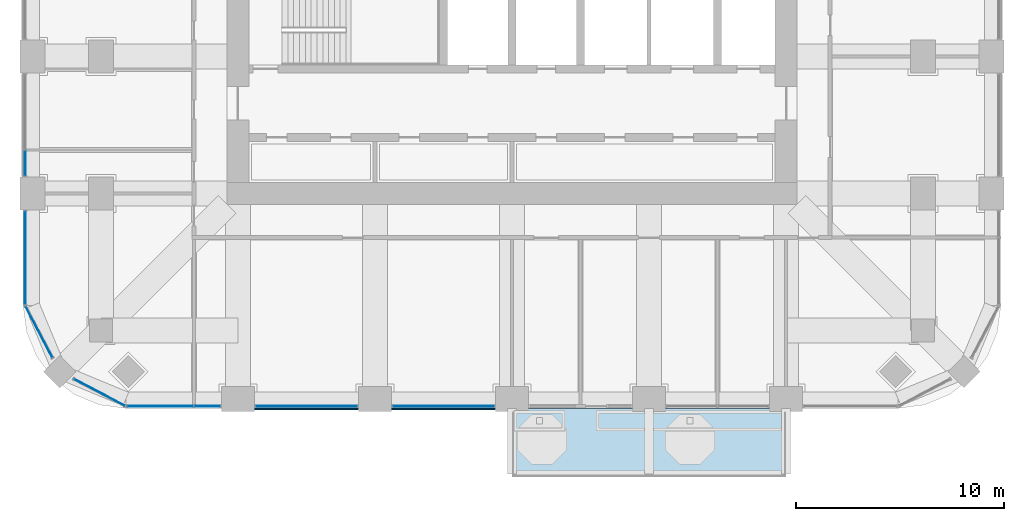
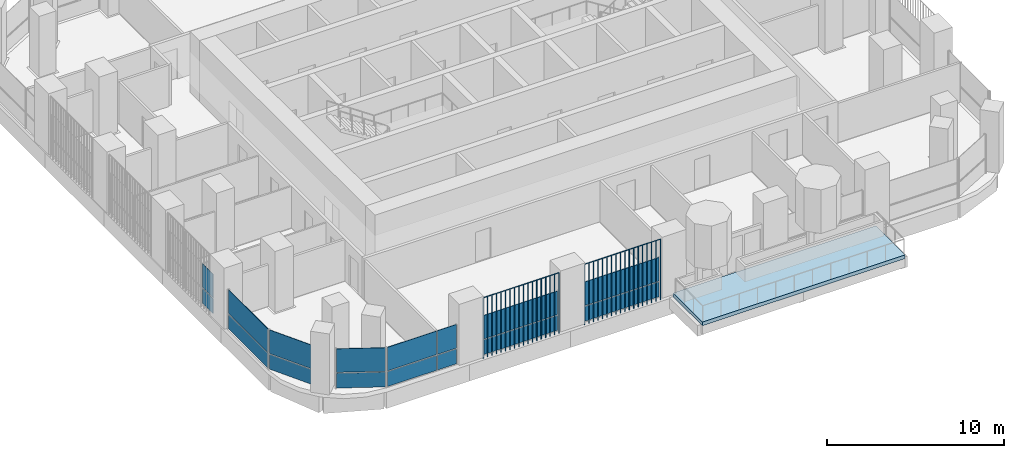
# One storey, part 8 of 19: 18 plates, 1 slab, 7 elements without a shape of their own.
"""IFC4 building model written with IfcOpenShell, lengths in metres."""

from ifc_helpers import new_model, si_unit, direction, frame, origin, origin_2d, place, context, subcontext, project, spatial, polyline, rectangle, outline, extrude, material, layer, layer_set, type_object, element, aggregate, save


model = new_model("IFC4")

# Units and contexts
model_context = context("Model", 3, precision=1e-05, world=origin(), true_north=direction((0.0, 1.0)))
body_context = subcontext(model_context, "Body", "Model", "MODEL_VIEW")
ifc_project = project(units=[si_unit("LENGTHUNIT", "METRE"), si_unit("AREAUNIT", "SQUARE_METRE"), si_unit("VOLUMEUNIT", "CUBIC_METRE"), si_unit("PLANEANGLEUNIT", "RADIAN"), si_unit("MASSUNIT", "GRAM", prefix="KILO")], contexts=[model_context])

# Site, building, storey
site_placement = place(None, origin())
site = spatial("IfcSite", under=ifc_project, at=site_placement, CompositionType="ELEMENT")
building_placement = place(site_placement, origin())
building = spatial("IfcBuilding", under=site, at=building_placement, Name="Cobogo Forest Laboratory Tower", CompositionType="ELEMENT")
storey_placement = place(building_placement, frame((0.0, 0.0, 172.5)))
storey = spatial("IfcBuildingStorey", under=building, at=storey_placement, Name="L39", CompositionType="ELEMENT", Elevation=172.5)

# Slab
ifc_material_1 = material(Name="Concrete HA-40 (C40/50)", Category="concrete")
ifc_layer_1 = layer(ifc_material_1, 0.25)
ifc_layer_set_1 = layer_set([ifc_layer_1], Name="Balcony slab 250")
slab_type = type_object("IfcSlabType", Name="Balcony slab 250", PredefinedType="FLOOR", material=ifc_layer_set_1)
slab_placement = place(storey_placement, frame((0.0, 0.0, -0.25)))
element("IfcSlab", 1, at=slab_placement, inside=storey, type_object=slab_type, Name="Balcony BAL-S1 L39", PredefinedType="FLOOR", context=body_context, shape_type="SweptSolid", body=[
    extrude(outline(polyline([(26.39990234375, -0.449951171875), (39.60009765625, -0.449951171875), (39.60009765625, 2.85009765625), (26.39990234375, 2.85009765625), (26.39990234375, -0.449951171875)])), origin(), (0.0, 0.0, 1.0), 0.25),
])

# Curtain wall, plates
ifc_material_2 = material(Name="Aluminium curtain wall", Category="aluminium")
curtain_wall_type = type_object("IfcCurtainWallType", Name="CW-2 unitised curtain wall, solar control glazing, laboratory floors zones C and D", PredefinedType="USERDEFINED", material=ifc_material_2)
curtain_wall_1_placement = place(storey_placement, origin())
curtain_wall_1 = element("IfcCurtainWall", 2, at=curtain_wall_1_placement, inside=storey, type_object=curtain_wall_type, Name="Curtain wall 01 L39", ObjectType="UNITISED CURTAIN WALL", PredefinedType="USERDEFINED")
ifc_material_3 = material(Name="Solar control insulated glass", Category="glass")
ifc_layer_2 = layer(ifc_material_3, 0.031982421875)
ifc_layer_set_2 = layer_set([ifc_layer_2], Name="GP-2 solar control glass unit 32")
plate_type_1 = type_object("IfcPlateType", Name="GP-2 solar control glass unit 32", PredefinedType="CURTAIN_PANEL", material=ifc_layer_set_2)
plate_1_placement = place(storey_placement, frame((9.452392578125, 2.949951171875, 0.0), z_axis=(0.0, 0.0, 1.0), x_axis=(1.0, 0.0, 0.0)))
plate_1 = element("IfcPlate", 3, at=plate_1_placement, type_object=plate_type_1, Name="CW-2 panel 1.1", PredefinedType="CURTAIN_PANEL", context=body_context, shape_type="SweptSolid", body=[
    extrude(rectangle(XDim=3.18505859375, YDim=0.031982421875, at=origin_2d()), origin(), (0.0, 0.0, 1.0), 1.02001953125),
])
plate_2_placement = place(storey_placement, frame((9.452392578125, 2.949951171875, 1.079833984375), z_axis=(0.0, 0.0, 1.0), x_axis=(1.0, 0.0, 0.0)))
plate_2 = element("IfcPlate", 4, at=plate_2_placement, type_object=plate_type_1, Name="CW-2 panel 1.2", PredefinedType="CURTAIN_PANEL", context=body_context, shape_type="SweptSolid", body=[
    extrude(rectangle(XDim=3.18505859375, YDim=0.031982421875, at=origin_2d()), origin(), (0.0, 0.0, 1.0), 1.6201171875),
])
plate_3_placement = place(storey_placement, frame((11.722412109375, 2.949951171875, 0.0), z_axis=(0.0, 0.0, 1.0), x_axis=(1.0, 0.0, 0.0)))
plate_3 = element("IfcPlate", 5, at=plate_3_placement, type_object=plate_type_1, Name="CW-2 panel 2.1", PredefinedType="CURTAIN_PANEL", context=body_context, shape_type="SweptSolid", body=[
    extrude(rectangle(XDim=1.235107421875, YDim=0.031982421875, at=origin_2d()), origin(), (0.0, 0.0, 1.0), 1.02001953125),
])
plate_4_placement = place(storey_placement, frame((11.722412109375, 2.949951171875, 1.079833984375), z_axis=(0.0, 0.0, 1.0), x_axis=(1.0, 0.0, 0.0)))
plate_4 = element("IfcPlate", 6, at=plate_4_placement, type_object=plate_type_1, Name="CW-2 panel 2.2", PredefinedType="CURTAIN_PANEL", context=body_context, shape_type="SweptSolid", body=[
    extrude(rectangle(XDim=1.235107421875, YDim=0.031982421875, at=origin_2d()), origin(), (0.0, 0.0, 1.0), 1.6201171875),
])
aggregate(curtain_wall_1, [plate_1, plate_2, plate_3, plate_4])

curtain_wall_2_placement = place(storey_placement, origin())
curtain_wall_2 = element("IfcCurtainWall", 7, at=curtain_wall_2_placement, inside=storey, type_object=curtain_wall_type, Name="Curtain wall 02 L39", ObjectType="UNITISED CURTAIN WALL", PredefinedType="USERDEFINED")
plate_5_placement = place(storey_placement, frame((16.5, 2.949951171875, 0.0), z_axis=(0.0, 0.0, 1.0), x_axis=(1.0, 0.0, 0.0)))
plate_5 = element("IfcPlate", 8, at=plate_5_placement, type_object=plate_type_1, Name="CW-2 panel 1.1", PredefinedType="CURTAIN_PANEL", context=body_context, shape_type="SweptSolid", body=[
    extrude(rectangle(XDim=4.8798828125, YDim=0.031982421875, at=origin_2d()), origin(), (0.0, 0.0, 1.0), 1.02001953125),
])
plate_6_placement = place(storey_placement, frame((16.5, 2.949951171875, 1.079833984375), z_axis=(0.0, 0.0, 1.0), x_axis=(1.0, 0.0, 0.0)))
plate_6 = element("IfcPlate", 9, at=plate_6_placement, type_object=plate_type_1, Name="CW-2 panel 1.2", PredefinedType="CURTAIN_PANEL", context=body_context, shape_type="SweptSolid", body=[
    extrude(rectangle(XDim=4.8798828125, YDim=0.031982421875, at=origin_2d()), origin(), (0.0, 0.0, 1.0), 1.6201171875),
])
aggregate(curtain_wall_2, [plate_5, plate_6])

curtain_wall_3_placement = place(storey_placement, origin())
curtain_wall_3 = element("IfcCurtainWall", 10, at=curtain_wall_3_placement, inside=storey, type_object=curtain_wall_type, Name="Curtain wall 03 L39", ObjectType="UNITISED CURTAIN WALL", PredefinedType="USERDEFINED")
plate_7_placement = place(storey_placement, frame((23.10009765625, 2.949951171875, 0.0), z_axis=(0.0, 0.0, 1.0), x_axis=(1.0, 0.0, 0.0)))
plate_7 = element("IfcPlate", 11, at=plate_7_placement, type_object=plate_type_1, Name="CW-2 panel 1.1", PredefinedType="CURTAIN_PANEL", context=body_context, shape_type="SweptSolid", body=[
    extrude(rectangle(XDim=4.8798828125, YDim=0.031982421875, at=origin_2d()), origin(), (0.0, 0.0, 1.0), 1.02001953125),
])
plate_8_placement = place(storey_placement, frame((23.10009765625, 2.949951171875, 1.079833984375), z_axis=(0.0, 0.0, 1.0), x_axis=(1.0, 0.0, 0.0)))
plate_8 = element("IfcPlate", 12, at=plate_8_placement, type_object=plate_type_1, Name="CW-2 panel 1.2", PredefinedType="CURTAIN_PANEL", context=body_context, shape_type="SweptSolid", body=[
    extrude(rectangle(XDim=4.8798828125, YDim=0.031982421875, at=origin_2d()), origin(), (0.0, 0.0, 1.0), 1.6201171875),
])
aggregate(curtain_wall_3, [plate_7, plate_8])

curtain_wall_4_placement = place(storey_placement, origin())
curtain_wall_4 = element("IfcCurtainWall", 13, at=curtain_wall_4_placement, inside=storey, type_object=curtain_wall_type, Name="Curtain wall 27 L39", ObjectType="UNITISED CURTAIN WALL", PredefinedType="USERDEFINED")
plate_9_placement = place(storey_placement, frame((2.949951171875, 14.6650390625, 0.0), z_axis=(0.0, 0.0, 1.0), x_axis=(0.0, -1.0, 0.0)))
plate_9 = element("IfcPlate", 14, at=plate_9_placement, type_object=plate_type_1, Name="CW-2 panel 2.1", PredefinedType="CURTAIN_PANEL", context=body_context, shape_type="SweptSolid", body=[
    extrude(rectangle(XDim=1.2099609375, YDim=0.031982421875, at=origin_2d()), origin(), (0.0, 0.0, 1.0), 1.02001953125),
])
plate_10_placement = place(storey_placement, frame((2.949951171875, 14.6650390625, 1.079833984375), z_axis=(0.0, 0.0, 1.0), x_axis=(0.0, -1.0, 0.0)))
plate_10 = element("IfcPlate", 15, at=plate_10_placement, type_object=plate_type_1, Name="CW-2 panel 2.2", PredefinedType="CURTAIN_PANEL", context=body_context, shape_type="SweptSolid", body=[
    extrude(rectangle(XDim=1.2099609375, YDim=0.031982421875, at=origin_2d()), origin(), (0.0, 0.0, 1.0), 1.6201171875),
])
aggregate(curtain_wall_4, [plate_9, plate_10])

curtain_wall_5_placement = place(storey_placement, origin())
curtain_wall_5 = element("IfcCurtainWall", 16, at=curtain_wall_5_placement, inside=storey, type_object=curtain_wall_type, Name="Curtain wall 28 L39", ObjectType="UNITISED CURTAIN WALL", PredefinedType="USERDEFINED")
plate_11_placement = place(storey_placement, frame((2.949951171875, 10.10009765625, 0.0), z_axis=(0.0, 0.0, 1.0), x_axis=(0.0, -1.0, 0.0)))
plate_11 = element("IfcPlate", 17, at=plate_11_placement, type_object=plate_type_1, Name="CW-2 panel 1.1", PredefinedType="CURTAIN_PANEL", context=body_context, shape_type="SweptSolid", body=[
    extrude(rectangle(XDim=4.47998046875, YDim=0.031982421875, at=origin_2d()), origin(), (0.0, 0.0, 1.0), 1.02001953125),
])
plate_12_placement = place(storey_placement, frame((2.949951171875, 10.10009765625, 1.079833984375), z_axis=(0.0, 0.0, 1.0), x_axis=(0.0, -1.0, 0.0)))
plate_12 = element("IfcPlate", 18, at=plate_12_placement, type_object=plate_type_1, Name="CW-2 panel 1.2", PredefinedType="CURTAIN_PANEL", context=body_context, shape_type="SweptSolid", body=[
    extrude(rectangle(XDim=4.47998046875, YDim=0.031982421875, at=origin_2d()), origin(), (0.0, 0.0, 1.0), 1.6201171875),
])
aggregate(curtain_wall_5, [plate_11, plate_12])

curtain_wall_6_placement = place(storey_placement, origin())
curtain_wall_6 = element("IfcCurtainWall", 19, at=curtain_wall_6_placement, inside=storey, type_object=curtain_wall_type, Name="Curtain wall 29 L39", ObjectType="UNITISED CURTAIN WALL", PredefinedType="USERDEFINED")
plate_13_placement = place(storey_placement, frame((3.61865234375, 6.5244140625, 0.0), z_axis=(0.0, 0.0, 1.0), x_axis=(0.464283804832, -0.885686484356, 0.0)))
plate_13 = element("IfcPlate", 20, at=plate_13_placement, type_object=plate_type_1, Name="CW-2 panel 1.1", PredefinedType="CURTAIN_PANEL", context=body_context, shape_type="SweptSolid", body=[
    extrude(rectangle(XDim=2.76025390625, YDim=0.031982421875, at=origin_2d()), origin(), (0.0, 0.0, 1.0), 1.02001953125),
])
plate_14_placement = place(storey_placement, frame((3.61865234375, 6.5244140625, 1.079833984375), z_axis=(0.0, 0.0, 1.0), x_axis=(0.464283804832, -0.885686484356, 0.0)))
plate_14 = element("IfcPlate", 21, at=plate_14_placement, type_object=plate_type_1, Name="CW-2 panel 1.2", PredefinedType="CURTAIN_PANEL", context=body_context, shape_type="SweptSolid", body=[
    extrude(rectangle(XDim=2.76025390625, YDim=0.031982421875, at=origin_2d()), origin(), (0.0, 0.0, 1.0), 1.6201171875),
])
aggregate(curtain_wall_6, [plate_13, plate_14])

curtain_wall_7_placement = place(storey_placement, origin())
curtain_wall_7 = element("IfcCurtainWall", 22, at=curtain_wall_7_placement, inside=storey, type_object=curtain_wall_type, Name="Curtain wall 30 L39", ObjectType="UNITISED CURTAIN WALL", PredefinedType="USERDEFINED")
plate_15_placement = place(storey_placement, frame((6.5244140625, 3.61865234375, 0.0), z_axis=(0.0, 0.0, 1.0), x_axis=(0.885686484356, -0.464283804832, 0.0)))
plate_15 = element("IfcPlate", 23, at=plate_15_placement, type_object=plate_type_1, Name="CW-2 panel 1.1", PredefinedType="CURTAIN_PANEL", context=body_context, shape_type="SweptSolid", body=[
    extrude(rectangle(XDim=2.76025390625, YDim=0.031982421875, at=origin_2d()), origin(), (0.0, 0.0, 1.0), 1.02001953125),
])
plate_16_placement = place(storey_placement, frame((6.5244140625, 3.61865234375, 1.079833984375), z_axis=(0.0, 0.0, 1.0), x_axis=(0.885686484356, -0.464283804832, 0.0)))
plate_16 = element("IfcPlate", 24, at=plate_16_placement, type_object=plate_type_1, Name="CW-2 panel 1.2", PredefinedType="CURTAIN_PANEL", context=body_context, shape_type="SweptSolid", body=[
    extrude(rectangle(XDim=2.76025390625, YDim=0.031982421875, at=origin_2d()), origin(), (0.0, 0.0, 1.0), 1.6201171875),
])
aggregate(curtain_wall_7, [plate_15, plate_16])

# Plates
ifc_material_4 = material(Name="Terracotta", Category="masonry")
plate_type_2 = type_object("IfcPlateType", Name="TB1 terracotta baguette screen", PredefinedType="USERDEFINED", material=ifc_material_4)
plate_17_placement = place(storey_placement, frame((14.03125, 2.822021484375, -0.14990234375)))
element("IfcPlate", 25, at=plate_17_placement, inside=storey, type_object=plate_type_2, Name="Baguette screen S1 L39", ObjectType="BAGUETTE SCREEN", PredefinedType="USERDEFINED", context=body_context, shape_type="SweptSolid", body=[
    extrude(outline(polyline([(0.02880859375, 0.011962890625), (0.011962890625, 0.02880859375), (-0.011962890625, 0.02880859375), (-0.02880859375, 0.011962890625), (-0.02880859375, -0.011962890625), (-0.011962890625, -0.02880859375), (0.011962890625, -0.02880859375), (0.02880859375, -0.011962890625), (0.02880859375, 0.011962890625)])), frame((0.0, 0.0, 4.168701171875), z_axis=(1.0, 0.0, 0.0), x_axis=(0.0, 1.0, 0.0)), (0.0, 0.0, 1.0), 4.9375),
    extrude(outline(polyline([(0.02880859375, 0.011962890625), (0.011962890625, 0.02880859375), (-0.011962890625, 0.02880859375), (-0.02880859375, 0.011962890625), (-0.02880859375, -0.011962890625), (-0.011962890625, -0.02880859375), (0.011962890625, -0.02880859375), (0.02880859375, -0.011962890625), (0.02880859375, 0.011962890625)])), origin(), (0.0, 0.0, 1.0), 4.137451171875),
    extrude(outline(polyline([(0.02880859375, 0.011962890625), (0.011962890625, 0.02880859375), (-0.011962890625, 0.02880859375), (-0.02880859375, 0.011962890625), (-0.02880859375, -0.011962890625), (-0.011962890625, -0.02880859375), (0.011962890625, -0.02880859375), (0.02880859375, -0.011962890625), (0.02880859375, 0.011962890625)])), frame((0.29052734375, 0.0, 0.0)), (0.0, 0.0, 1.0), 4.137451171875),
    extrude(outline(polyline([(0.02880859375, 0.011962890625), (0.011962890625, 0.02880859375), (-0.011962890625, 0.02880859375), (-0.02880859375, 0.011962890625), (-0.02880859375, -0.011962890625), (-0.011962890625, -0.02880859375), (0.011962890625, -0.02880859375), (0.02880859375, -0.011962890625), (0.02880859375, 0.011962890625)])), frame((0.580810546875, 0.0, 0.0)), (0.0, 0.0, 1.0), 4.137451171875),
    extrude(outline(polyline([(0.02880859375, 0.011962890625), (0.011962890625, 0.02880859375), (-0.011962890625, 0.02880859375), (-0.02880859375, 0.011962890625), (-0.02880859375, -0.011962890625), (-0.011962890625, -0.02880859375), (0.011962890625, -0.02880859375), (0.02880859375, -0.011962890625), (0.02880859375, 0.011962890625)])), frame((0.871337890625, 0.0, 0.0)), (0.0, 0.0, 1.0), 4.137451171875),
    extrude(outline(polyline([(0.02880859375, 0.011962890625), (0.011962890625, 0.02880859375), (-0.011962890625, 0.02880859375), (-0.02880859375, 0.011962890625), (-0.02880859375, -0.011962890625), (-0.011962890625, -0.02880859375), (0.011962890625, -0.02880859375), (0.02880859375, -0.011962890625), (0.02880859375, 0.011962890625)])), frame((1.161865234375, 0.0, 0.0)), (0.0, 0.0, 1.0), 4.137451171875),
    extrude(outline(polyline([(0.02880859375, 0.011962890625), (0.011962890625, 0.02880859375), (-0.011962890625, 0.02880859375), (-0.02880859375, 0.011962890625), (-0.02880859375, -0.011962890625), (-0.011962890625, -0.02880859375), (0.011962890625, -0.02880859375), (0.02880859375, -0.011962890625), (0.02880859375, 0.011962890625)])), frame((1.4521484375, 0.0, 0.0)), (0.0, 0.0, 1.0), 4.137451171875),
    extrude(outline(polyline([(0.02880859375, 0.011962890625), (0.011962890625, 0.02880859375), (-0.011962890625, 0.02880859375), (-0.02880859375, 0.011962890625), (-0.02880859375, -0.011962890625), (-0.011962890625, -0.02880859375), (0.011962890625, -0.02880859375), (0.02880859375, -0.011962890625), (0.02880859375, 0.011962890625)])), frame((1.74267578125, 0.0, 0.0)), (0.0, 0.0, 1.0), 4.137451171875),
    extrude(outline(polyline([(0.02880859375, 0.011962890625), (0.011962890625, 0.02880859375), (-0.011962890625, 0.02880859375), (-0.02880859375, 0.011962890625), (-0.02880859375, -0.011962890625), (-0.011962890625, -0.02880859375), (0.011962890625, -0.02880859375), (0.02880859375, -0.011962890625), (0.02880859375, 0.011962890625)])), frame((2.033203125, 0.0, 0.0)), (0.0, 0.0, 1.0), 4.137451171875),
    extrude(outline(polyline([(0.02880859375, 0.011962890625), (0.011962890625, 0.02880859375), (-0.011962890625, 0.02880859375), (-0.02880859375, 0.011962890625), (-0.02880859375, -0.011962890625), (-0.011962890625, -0.02880859375), (0.011962890625, -0.02880859375), (0.02880859375, -0.011962890625), (0.02880859375, 0.011962890625)])), frame((2.323486328125, 0.0, 0.0)), (0.0, 0.0, 1.0), 4.137451171875),
    extrude(outline(polyline([(0.02880859375, 0.011962890625), (0.011962890625, 0.02880859375), (-0.011962890625, 0.02880859375), (-0.02880859375, 0.011962890625), (-0.02880859375, -0.011962890625), (-0.011962890625, -0.02880859375), (0.011962890625, -0.02880859375), (0.02880859375, -0.011962890625), (0.02880859375, 0.011962890625)])), frame((2.614013671875, 0.0, 0.0)), (0.0, 0.0, 1.0), 4.137451171875),
    extrude(outline(polyline([(0.02880859375, 0.011962890625), (0.011962890625, 0.02880859375), (-0.011962890625, 0.02880859375), (-0.02880859375, 0.011962890625), (-0.02880859375, -0.011962890625), (-0.011962890625, -0.02880859375), (0.011962890625, -0.02880859375), (0.02880859375, -0.011962890625), (0.02880859375, 0.011962890625)])), frame((2.904296875, 0.0, 0.0)), (0.0, 0.0, 1.0), 4.137451171875),
    extrude(outline(polyline([(0.02880859375, 0.011962890625), (0.011962890625, 0.02880859375), (-0.011962890625, 0.02880859375), (-0.02880859375, 0.011962890625), (-0.02880859375, -0.011962890625), (-0.011962890625, -0.02880859375), (0.011962890625, -0.02880859375), (0.02880859375, -0.011962890625), (0.02880859375, 0.011962890625)])), frame((3.19482421875, 0.0, 0.0)), (0.0, 0.0, 1.0), 4.137451171875),
    extrude(outline(polyline([(0.02880859375, 0.011962890625), (0.011962890625, 0.02880859375), (-0.011962890625, 0.02880859375), (-0.02880859375, 0.011962890625), (-0.02880859375, -0.011962890625), (-0.011962890625, -0.02880859375), (0.011962890625, -0.02880859375), (0.02880859375, -0.011962890625), (0.02880859375, 0.011962890625)])), frame((3.4853515625, 0.0, 0.0)), (0.0, 0.0, 1.0), 4.137451171875),
    extrude(outline(polyline([(0.02880859375, 0.011962890625), (0.011962890625, 0.02880859375), (-0.011962890625, 0.02880859375), (-0.02880859375, 0.011962890625), (-0.02880859375, -0.011962890625), (-0.011962890625, -0.02880859375), (0.011962890625, -0.02880859375), (0.02880859375, -0.011962890625), (0.02880859375, 0.011962890625)])), frame((3.775634765625, 0.0, 0.0)), (0.0, 0.0, 1.0), 4.137451171875),
    extrude(outline(polyline([(0.02880859375, 0.011962890625), (0.011962890625, 0.02880859375), (-0.011962890625, 0.02880859375), (-0.02880859375, 0.011962890625), (-0.02880859375, -0.011962890625), (-0.011962890625, -0.02880859375), (0.011962890625, -0.02880859375), (0.02880859375, -0.011962890625), (0.02880859375, 0.011962890625)])), frame((4.066162109375, 0.0, 0.0)), (0.0, 0.0, 1.0), 4.137451171875),
    extrude(outline(polyline([(0.02880859375, 0.011962890625), (0.011962890625, 0.02880859375), (-0.011962890625, 0.02880859375), (-0.02880859375, 0.011962890625), (-0.02880859375, -0.011962890625), (-0.011962890625, -0.02880859375), (0.011962890625, -0.02880859375), (0.02880859375, -0.011962890625), (0.02880859375, 0.011962890625)])), frame((4.356689453125, 0.0, 0.0)), (0.0, 0.0, 1.0), 4.137451171875),
    extrude(outline(polyline([(0.02880859375, 0.011962890625), (0.011962890625, 0.02880859375), (-0.011962890625, 0.02880859375), (-0.02880859375, 0.011962890625), (-0.02880859375, -0.011962890625), (-0.011962890625, -0.02880859375), (0.011962890625, -0.02880859375), (0.02880859375, -0.011962890625), (0.02880859375, 0.011962890625)])), frame((4.64697265625, 0.0, 0.0)), (0.0, 0.0, 1.0), 4.137451171875),
    extrude(outline(polyline([(0.02880859375, 0.011962890625), (0.011962890625, 0.02880859375), (-0.011962890625, 0.02880859375), (-0.02880859375, 0.011962890625), (-0.02880859375, -0.011962890625), (-0.011962890625, -0.02880859375), (0.011962890625, -0.02880859375), (0.02880859375, -0.011962890625), (0.02880859375, 0.011962890625)])), frame((4.9375, 0.0, 0.0)), (0.0, 0.0, 1.0), 4.137451171875),
])
plate_18_placement = place(storey_placement, frame((20.63134765625, 2.822021484375, -0.14990234375)))
element("IfcPlate", 26, at=plate_18_placement, inside=storey, type_object=plate_type_2, Name="Baguette screen S2 L39", ObjectType="BAGUETTE SCREEN", PredefinedType="USERDEFINED", context=body_context, shape_type="SweptSolid", body=[
    extrude(outline(polyline([(0.02880859375, 0.011962890625), (0.011962890625, 0.02880859375), (-0.011962890625, 0.02880859375), (-0.02880859375, 0.011962890625), (-0.02880859375, -0.011962890625), (-0.011962890625, -0.02880859375), (0.011962890625, -0.02880859375), (0.02880859375, -0.011962890625), (0.02880859375, 0.011962890625)])), frame((0.0, 0.0, 4.168701171875), z_axis=(1.0, 0.0, 0.0), x_axis=(0.0, 1.0, 0.0)), (0.0, 0.0, 1.0), 4.9375),
    extrude(outline(polyline([(0.02880859375, 0.011962890625), (0.011962890625, 0.02880859375), (-0.011962890625, 0.02880859375), (-0.02880859375, 0.011962890625), (-0.02880859375, -0.011962890625), (-0.011962890625, -0.02880859375), (0.011962890625, -0.02880859375), (0.02880859375, -0.011962890625), (0.02880859375, 0.011962890625)])), origin(), (0.0, 0.0, 1.0), 4.137451171875),
    extrude(outline(polyline([(0.02880859375, 0.011962890625), (0.011962890625, 0.02880859375), (-0.011962890625, 0.02880859375), (-0.02880859375, 0.011962890625), (-0.02880859375, -0.011962890625), (-0.011962890625, -0.02880859375), (0.011962890625, -0.02880859375), (0.02880859375, -0.011962890625), (0.02880859375, 0.011962890625)])), frame((0.29052734375, 0.0, 0.0)), (0.0, 0.0, 1.0), 4.137451171875),
    extrude(outline(polyline([(0.02880859375, 0.011962890625), (0.011962890625, 0.02880859375), (-0.011962890625, 0.02880859375), (-0.02880859375, 0.011962890625), (-0.02880859375, -0.011962890625), (-0.011962890625, -0.02880859375), (0.011962890625, -0.02880859375), (0.02880859375, -0.011962890625), (0.02880859375, 0.011962890625)])), frame((0.580810546875, 0.0, 0.0)), (0.0, 0.0, 1.0), 4.137451171875),
    extrude(outline(polyline([(0.02880859375, 0.011962890625), (0.011962890625, 0.02880859375), (-0.011962890625, 0.02880859375), (-0.02880859375, 0.011962890625), (-0.02880859375, -0.011962890625), (-0.011962890625, -0.02880859375), (0.011962890625, -0.02880859375), (0.02880859375, -0.011962890625), (0.02880859375, 0.011962890625)])), frame((0.871337890625, 0.0, 0.0)), (0.0, 0.0, 1.0), 4.137451171875),
    extrude(outline(polyline([(0.02880859375, 0.011962890625), (0.011962890625, 0.02880859375), (-0.011962890625, 0.02880859375), (-0.02880859375, 0.011962890625), (-0.02880859375, -0.011962890625), (-0.011962890625, -0.02880859375), (0.011962890625, -0.02880859375), (0.02880859375, -0.011962890625), (0.02880859375, 0.011962890625)])), frame((1.161865234375, 0.0, 0.0)), (0.0, 0.0, 1.0), 4.137451171875),
    extrude(outline(polyline([(0.02880859375, 0.011962890625), (0.011962890625, 0.02880859375), (-0.011962890625, 0.02880859375), (-0.02880859375, 0.011962890625), (-0.02880859375, -0.011962890625), (-0.011962890625, -0.02880859375), (0.011962890625, -0.02880859375), (0.02880859375, -0.011962890625), (0.02880859375, 0.011962890625)])), frame((1.4521484375, 0.0, 0.0)), (0.0, 0.0, 1.0), 4.137451171875),
    extrude(outline(polyline([(0.02880859375, 0.011962890625), (0.011962890625, 0.02880859375), (-0.011962890625, 0.02880859375), (-0.02880859375, 0.011962890625), (-0.02880859375, -0.011962890625), (-0.011962890625, -0.02880859375), (0.011962890625, -0.02880859375), (0.02880859375, -0.011962890625), (0.02880859375, 0.011962890625)])), frame((1.74267578125, 0.0, 0.0)), (0.0, 0.0, 1.0), 4.137451171875),
    extrude(outline(polyline([(0.02880859375, 0.011962890625), (0.011962890625, 0.02880859375), (-0.011962890625, 0.02880859375), (-0.02880859375, 0.011962890625), (-0.02880859375, -0.011962890625), (-0.011962890625, -0.02880859375), (0.011962890625, -0.02880859375), (0.02880859375, -0.011962890625), (0.02880859375, 0.011962890625)])), frame((2.033203125, 0.0, 0.0)), (0.0, 0.0, 1.0), 4.137451171875),
    extrude(outline(polyline([(0.02880859375, 0.011962890625), (0.011962890625, 0.02880859375), (-0.011962890625, 0.02880859375), (-0.02880859375, 0.011962890625), (-0.02880859375, -0.011962890625), (-0.011962890625, -0.02880859375), (0.011962890625, -0.02880859375), (0.02880859375, -0.011962890625), (0.02880859375, 0.011962890625)])), frame((2.323486328125, 0.0, 0.0)), (0.0, 0.0, 1.0), 4.137451171875),
    extrude(outline(polyline([(0.02880859375, 0.011962890625), (0.011962890625, 0.02880859375), (-0.011962890625, 0.02880859375), (-0.02880859375, 0.011962890625), (-0.02880859375, -0.011962890625), (-0.011962890625, -0.02880859375), (0.011962890625, -0.02880859375), (0.02880859375, -0.011962890625), (0.02880859375, 0.011962890625)])), frame((2.614013671875, 0.0, 0.0)), (0.0, 0.0, 1.0), 4.137451171875),
    extrude(outline(polyline([(0.02880859375, 0.011962890625), (0.011962890625, 0.02880859375), (-0.011962890625, 0.02880859375), (-0.02880859375, 0.011962890625), (-0.02880859375, -0.011962890625), (-0.011962890625, -0.02880859375), (0.011962890625, -0.02880859375), (0.02880859375, -0.011962890625), (0.02880859375, 0.011962890625)])), frame((2.904296875, 0.0, 0.0)), (0.0, 0.0, 1.0), 4.137451171875),
    extrude(outline(polyline([(0.02880859375, 0.011962890625), (0.011962890625, 0.02880859375), (-0.011962890625, 0.02880859375), (-0.02880859375, 0.011962890625), (-0.02880859375, -0.011962890625), (-0.011962890625, -0.02880859375), (0.011962890625, -0.02880859375), (0.02880859375, -0.011962890625), (0.02880859375, 0.011962890625)])), frame((3.19482421875, 0.0, 0.0)), (0.0, 0.0, 1.0), 4.137451171875),
    extrude(outline(polyline([(0.02880859375, 0.011962890625), (0.011962890625, 0.02880859375), (-0.011962890625, 0.02880859375), (-0.02880859375, 0.011962890625), (-0.02880859375, -0.011962890625), (-0.011962890625, -0.02880859375), (0.011962890625, -0.02880859375), (0.02880859375, -0.011962890625), (0.02880859375, 0.011962890625)])), frame((3.4853515625, 0.0, 0.0)), (0.0, 0.0, 1.0), 4.137451171875),
    extrude(outline(polyline([(0.02880859375, 0.011962890625), (0.011962890625, 0.02880859375), (-0.011962890625, 0.02880859375), (-0.02880859375, 0.011962890625), (-0.02880859375, -0.011962890625), (-0.011962890625, -0.02880859375), (0.011962890625, -0.02880859375), (0.02880859375, -0.011962890625), (0.02880859375, 0.011962890625)])), frame((3.775634765625, 0.0, 0.0)), (0.0, 0.0, 1.0), 4.137451171875),
    extrude(outline(polyline([(0.02880859375, 0.011962890625), (0.011962890625, 0.02880859375), (-0.011962890625, 0.02880859375), (-0.02880859375, 0.011962890625), (-0.02880859375, -0.011962890625), (-0.011962890625, -0.02880859375), (0.011962890625, -0.02880859375), (0.02880859375, -0.011962890625), (0.02880859375, 0.011962890625)])), frame((4.066162109375, 0.0, 0.0)), (0.0, 0.0, 1.0), 4.137451171875),
    extrude(outline(polyline([(0.02880859375, 0.011962890625), (0.011962890625, 0.02880859375), (-0.011962890625, 0.02880859375), (-0.02880859375, 0.011962890625), (-0.02880859375, -0.011962890625), (-0.011962890625, -0.02880859375), (0.011962890625, -0.02880859375), (0.02880859375, -0.011962890625), (0.02880859375, 0.011962890625)])), frame((4.356689453125, 0.0, 0.0)), (0.0, 0.0, 1.0), 4.137451171875),
    extrude(outline(polyline([(0.02880859375, 0.011962890625), (0.011962890625, 0.02880859375), (-0.011962890625, 0.02880859375), (-0.02880859375, 0.011962890625), (-0.02880859375, -0.011962890625), (-0.011962890625, -0.02880859375), (0.011962890625, -0.02880859375), (0.02880859375, -0.011962890625), (0.02880859375, 0.011962890625)])), frame((4.64697265625, 0.0, 0.0)), (0.0, 0.0, 1.0), 4.137451171875),
    extrude(outline(polyline([(0.02880859375, 0.011962890625), (0.011962890625, 0.02880859375), (-0.011962890625, 0.02880859375), (-0.02880859375, 0.011962890625), (-0.02880859375, -0.011962890625), (-0.011962890625, -0.02880859375), (0.011962890625, -0.02880859375), (0.02880859375, -0.011962890625), (0.02880859375, 0.011962890625)])), frame((4.9375, 0.0, 0.0)), (0.0, 0.0, 1.0), 4.137451171875),
])

save(model, "model.ifc")
